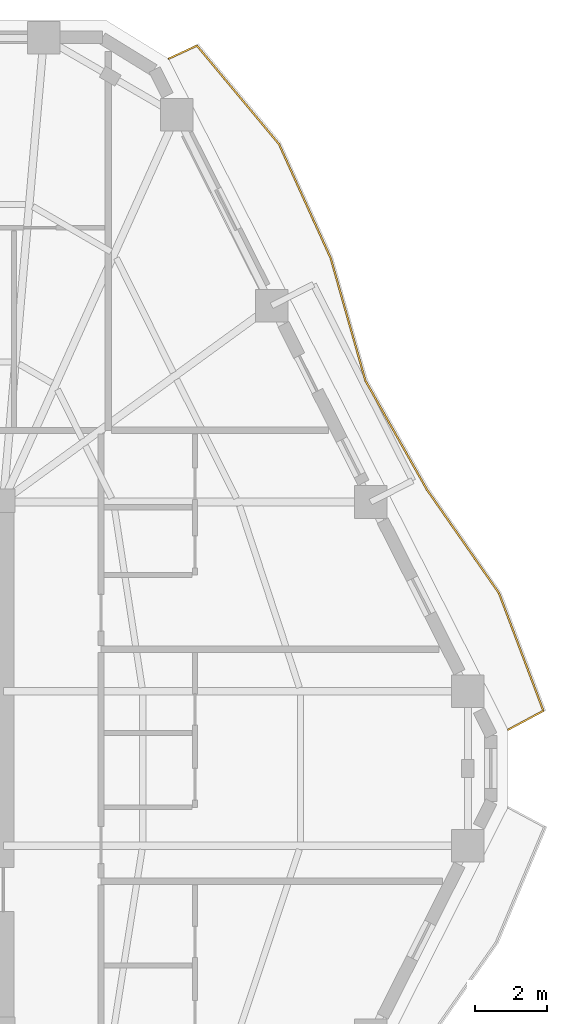
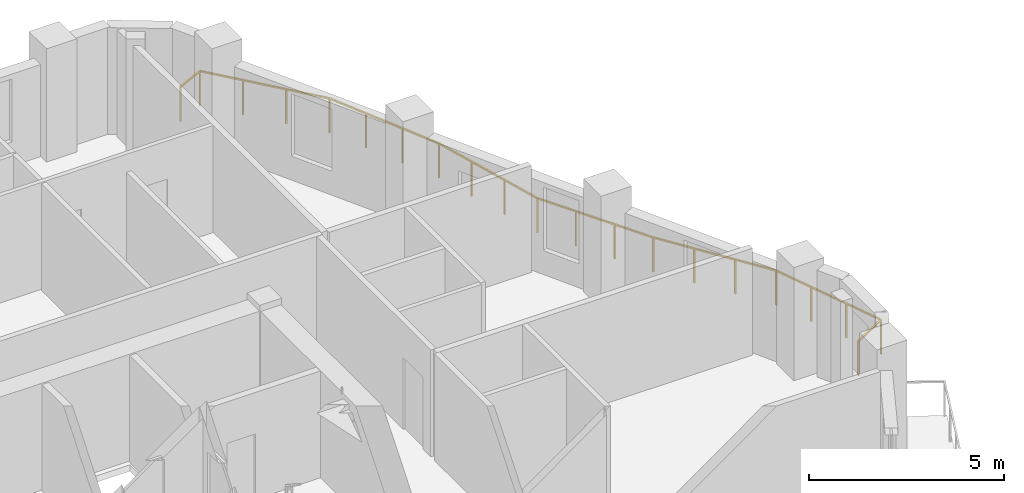
# One storey, part 12 of 12: 1 railing.
"""IFC4 building model written with IfcOpenShell, lengths in metres."""

from ifc_helpers import new_model, si_unit, direction, frame, origin, origin_2d, place, context, subcontext, project, spatial, rectangle, extrude, material, type_object, element, save


model = new_model("IFC4")

# Units and contexts
model_context = context("Model", 3, precision=1e-05, world=origin(), true_north=direction((0.0, 1.0)))
body_context = subcontext(model_context, "Body", "Model", "MODEL_VIEW")
ifc_project = project(units=[si_unit("LENGTHUNIT", "METRE"), si_unit("AREAUNIT", "SQUARE_METRE"), si_unit("VOLUMEUNIT", "CUBIC_METRE"), si_unit("PLANEANGLEUNIT", "RADIAN"), si_unit("MASSUNIT", "GRAM", prefix="KILO")], contexts=[model_context])

# Site, building, storey
site_placement = place(None, origin())
site = spatial("IfcSite", under=ifc_project, at=site_placement, CompositionType="ELEMENT")
building_placement = place(site_placement, origin())
building = spatial("IfcBuilding", under=site, at=building_placement, Name="Cinnabar Lancet Tower", CompositionType="ELEMENT")
storey_placement = place(building_placement, frame((0.0, 0.0, 189.64990234375)))
storey = spatial("IfcBuildingStorey", under=building, at=storey_placement, Name="L50", CompositionType="ELEMENT", Elevation=189.64990234375)

# Railing
ifc_material = material(Name="Laminated safety glass and bronze stainless steel balustrade", Category="steel")
railing_type = type_object("IfcRailingType", Name="ENV-RLG-BAL-1100", PredefinedType="BALUSTRADE", material=ifc_material)
railing_placement = place(storey_placement, frame((55.657958984375, 26.87109375, 0.0)))
element("IfcRailing", 1, at=railing_placement, inside=storey, type_object=railing_type, Name="L50 Face 3 Wave Balcony Balustrade", PredefinedType="BALUSTRADE", context=body_context, shape_type="SweptSolid", body=[
    extrude(rectangle(XDim=0.048095703125, YDim=0.048095703125, at=origin_2d()), frame((0.0, 0.0, 1.076171875), z_axis=(0.881120033819, 0.472892679159, 0.0), x_axis=(-0.472892679159, 0.881120033819, 0.0)), (0.0, 0.0, 1.0), 1.10986328125),
    extrude(rectangle(XDim=0.048095703125, YDim=0.048095703125, at=origin_2d()), frame((0.97802734375, 0.52490234375, 1.076171875), z_axis=(-0.353092033613, 0.935588593239, 0.0), x_axis=(-0.935588593239, -0.353092033613, 0.0)), (0.0, 0.0, 1.0), 3.47802734375),
    extrude(rectangle(XDim=0.048095703125, YDim=0.048095703125, at=origin_2d()), frame((-0.25, 3.77880859375, 1.076171875), z_axis=(-0.571361668508, 0.820698387813, 0.0), x_axis=(-0.820698387813, -0.571361668508, 0.0)), (0.0, 0.0, 1.0), 3.48974609375),
    extrude(rectangle(XDim=0.048095703125, YDim=0.048095703125, at=origin_2d()), frame((-2.243896484375, 6.642822265625, 1.076171875), z_axis=(-0.491366483671, 0.870952914184, 0.0), x_axis=(-0.870952914184, -0.491366483671, 0.0)), (0.0, 0.0, 1.0), 3.459716796875),
    extrude(rectangle(XDim=0.048095703125, YDim=0.048095703125, at=origin_2d()), frame((-3.94384765625, 9.656005859375, 1.076171875), z_axis=(-0.272824100275, 0.962063932548, 0.0), x_axis=(-0.962063932548, -0.272824100275, 0.0)), (0.0, 0.0, 1.0), 3.51953125),
    extrude(rectangle(XDim=0.048095703125, YDim=0.048095703125, at=origin_2d()), frame((-4.904052734375, 13.0419921875, 1.076171875), z_axis=(-0.412680986, 0.910875624767, 0.0), x_axis=(-0.910875624767, -0.412680986, 0.0)), (0.0, 0.0, 1.0), 3.460205078125),
    extrude(rectangle(XDim=0.048095703125, YDim=0.048095703125, at=origin_2d()), frame((-6.33203125, 16.19384765625, 1.076171875), z_axis=(-0.640062565607, 0.768322791611, 0.0), x_axis=(-0.768322791611, -0.640062565607, 0.0)), (0.0, 0.0, 1.0), 3.548095703125),
    extrude(rectangle(XDim=0.048095703125, YDim=0.048095703125, at=origin_2d()), frame((-8.60302734375, 18.919921875, 1.076171875), z_axis=(-0.908050295597, -0.418861147238, 0.0), x_axis=(0.418861147238, -0.908050295597, 0.0)), (0.0, 0.0, 1.0), 0.864501953125),
    extrude(rectangle(XDim=0.0419921875, YDim=0.0419921875, at=origin_2d()), origin(), (0.0, 0.0, 1.0), 1.052001953125),
    extrude(rectangle(XDim=0.0419921875, YDim=0.0419921875, at=origin_2d()), frame((0.97802734375, 0.52490234375, 0.0)), (0.0, 0.0, 1.0), 1.052001953125),
    extrude(rectangle(XDim=0.0419921875, YDim=0.0419921875, at=origin_2d()), frame((0.568603515625, 1.609619140625, 0.0)), (0.0, 0.0, 1.0), 1.052001953125),
    extrude(rectangle(XDim=0.0419921875, YDim=0.0419921875, at=origin_2d()), frame((0.159423828125, 2.694091796875, 0.0)), (0.0, 0.0, 1.0), 1.052001953125),
    extrude(rectangle(XDim=0.0419921875, YDim=0.0419921875, at=origin_2d()), frame((-0.25, 3.77880859375, 0.0)), (0.0, 0.0, 1.0), 1.052001953125),
    extrude(rectangle(XDim=0.0419921875, YDim=0.0419921875, at=origin_2d()), frame((-0.91455078125, 4.7333984375, 0.0)), (0.0, 0.0, 1.0), 1.052001953125),
    extrude(rectangle(XDim=0.0419921875, YDim=0.0419921875, at=origin_2d()), frame((-1.579345703125, 5.688232421875, 0.0)), (0.0, 0.0, 1.0), 1.052001953125),
    extrude(rectangle(XDim=0.0419921875, YDim=0.0419921875, at=origin_2d()), frame((-2.243896484375, 6.642822265625, 0.0)), (0.0, 0.0, 1.0), 1.052001953125),
    extrude(rectangle(XDim=0.0419921875, YDim=0.0419921875, at=origin_2d()), frame((-2.810546875, 7.647216796875, 0.0)), (0.0, 0.0, 1.0), 1.052001953125),
    extrude(rectangle(XDim=0.0419921875, YDim=0.0419921875, at=origin_2d()), frame((-3.377197265625, 8.651611328125, 0.0)), (0.0, 0.0, 1.0), 1.052001953125),
    extrude(rectangle(XDim=0.0419921875, YDim=0.0419921875, at=origin_2d()), frame((-3.94384765625, 9.656005859375, 0.0)), (0.0, 0.0, 1.0), 1.052001953125),
    extrude(rectangle(XDim=0.0419921875, YDim=0.0419921875, at=origin_2d()), frame((-4.263916015625, 10.78466796875, 0.0)), (0.0, 0.0, 1.0), 1.052001953125),
    extrude(rectangle(XDim=0.0419921875, YDim=0.0419921875, at=origin_2d()), frame((-4.583984375, 11.913330078125, 0.0)), (0.0, 0.0, 1.0), 1.052001953125),
    extrude(rectangle(XDim=0.0419921875, YDim=0.0419921875, at=origin_2d()), frame((-4.904052734375, 13.0419921875, 0.0)), (0.0, 0.0, 1.0), 1.052001953125),
    extrude(rectangle(XDim=0.0419921875, YDim=0.0419921875, at=origin_2d()), frame((-5.380126953125, 14.092529296875, 0.0)), (0.0, 0.0, 1.0), 1.052001953125),
    extrude(rectangle(XDim=0.0419921875, YDim=0.0419921875, at=origin_2d()), frame((-5.85595703125, 15.143310546875, 0.0)), (0.0, 0.0, 1.0), 1.052001953125),
    extrude(rectangle(XDim=0.0419921875, YDim=0.0419921875, at=origin_2d()), frame((-6.33203125, 16.19384765625, 0.0)), (0.0, 0.0, 1.0), 1.052001953125),
    extrude(rectangle(XDim=0.0419921875, YDim=0.0419921875, at=origin_2d()), frame((-7.089111328125, 17.1025390625, 0.0)), (0.0, 0.0, 1.0), 1.052001953125),
    extrude(rectangle(XDim=0.0419921875, YDim=0.0419921875, at=origin_2d()), frame((-7.845947265625, 18.01123046875, 0.0)), (0.0, 0.0, 1.0), 1.052001953125),
    extrude(rectangle(XDim=0.0419921875, YDim=0.0419921875, at=origin_2d()), frame((-8.60302734375, 18.919921875, 0.0)), (0.0, 0.0, 1.0), 1.052001953125),
    extrude(rectangle(XDim=0.0419921875, YDim=0.0419921875, at=origin_2d()), frame((-9.387939453125, 18.557861328125, 0.0)), (0.0, 0.0, 1.0), 1.052001953125),
])

save(model, "model.ifc")
